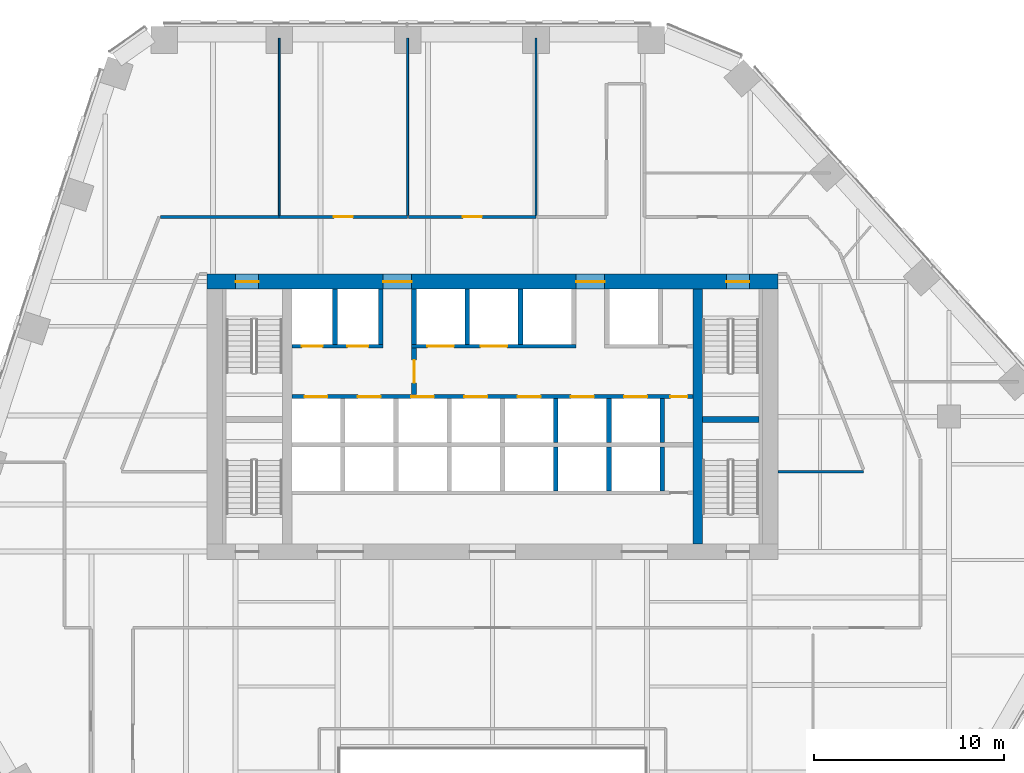
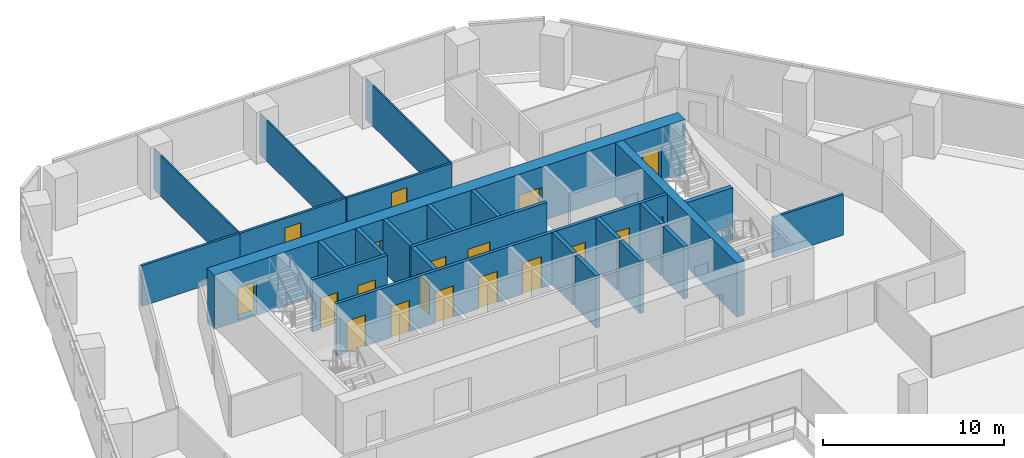
# One storey, part 12 of 17: 25 walls, 19 doors, 19 openings.
"""IFC4 building model written with IfcOpenShell, lengths in metres."""

from ifc_helpers import new_model, si_unit, direction, frame, frame_2d, origin, place, context, subcontext, project, spatial, rectangle, extrude, material, layer, layer_set, type_object, element, fill, save


model = new_model("IFC4")

# Units and contexts
model_context = context("Model", 3, precision=1e-05, world=origin(), true_north=direction((0.0, 1.0)))
body_context = subcontext(model_context, "Body", "Model", "MODEL_VIEW")
ifc_project = project(units=[si_unit("LENGTHUNIT", "METRE"), si_unit("AREAUNIT", "SQUARE_METRE"), si_unit("VOLUMEUNIT", "CUBIC_METRE"), si_unit("PLANEANGLEUNIT", "RADIAN"), si_unit("MASSUNIT", "GRAM", prefix="KILO")], contexts=[model_context])

# Site, building, storey
site_placement = place(None, origin())
site = spatial("IfcSite", under=ifc_project, at=site_placement, CompositionType="ELEMENT")
building_placement = place(site_placement, origin())
building = spatial("IfcBuilding", under=site, at=building_placement, Name="Isthmus Gate Tower", CompositionType="ELEMENT")
storey_placement = place(building_placement, frame((0.0, 0.0, 126.14990234375)))
storey = spatial("IfcBuildingStorey", under=building, at=storey_placement, Name="L30", CompositionType="ELEMENT", Elevation=126.14990234375)

# Wall, opening, door
ifc_material_1 = material(Name="Gypsum board on steel studs, fire-rated", Category="steel")
ifc_layer_1 = layer(ifc_material_1, 0.14990234375)
ifc_layer_set_1 = layer_set([ifc_layer_1], Name="CORRIDOR WALL 150 60 MIN")
wall_type_1 = type_object("IfcWallType", Name="CORRIDOR WALL 150 60 MIN", PredefinedType="PARTITIONING", material=ifc_layer_set_1)
wall_1_placement = place(storey_placement, frame((-11.2119140625, 18.0, 0.0), z_axis=(0.0, 0.0, 1.0), x_axis=(1.0, 0.0, 0.0)))
wall_1 = element("IfcWall", 1, at=wall_1_placement, inside=storey, type_object=wall_type_1, Name="L30 Corridor Wall 150 60 Min", PredefinedType="PARTITIONING", context=body_context, shape_type="SweptSolid", body=[
    extrude(rectangle(XDim=6.75, YDim=0.14990234375, at=frame_2d((3.375, 0.0))), origin(), (0.0, 0.0, 1.0), 2.7412109375),
])
opening_1_placement = place(wall_1_placement, frame((2.875, 0.0, 0.0)))
opening_1 = element("IfcOpeningElement", 2, at=opening_1_placement, cuts=wall_1, Name="Opening DT-T3A-01", PredefinedType="OPENING", context=body_context, shape_type="SweptSolid", body=[
    extrude(rectangle(XDim=1.0, YDim=2.10009765625, at=frame_2d((0.5, 1.050048828125))), frame((0.0, 0.0849609375, 0.0), z_axis=(0.0, -1.0, 0.0), x_axis=(1.0, 0.0, 0.0)), (0.0, 0.0, 1.0), 0.169921875),
])
ifc_material_2 = material(Name="Solid core timber door leaf, fire-rated", Category="wood")
door_type_1 = type_object("IfcDoorType", Name="FIRE DOOR ROOM 1000 X 2100 60 MIN", OperationType="SINGLE_SWING_LEFT", PredefinedType="DOOR", material=ifc_material_2)
door_1_placement = place(opening_1_placement, origin())
door_1 = element("IfcDoor", 3, at=door_1_placement, inside=storey, type_object=door_type_1, Name="L30 room door", OperationType="SINGLE_SWING_RIGHT", OverallHeight=2.10009765625, OverallWidth=1.0, PredefinedType="DOOR", context=body_context, shape_type="SweptSolid", body=[
    extrude(rectangle(XDim=1.0, YDim=2.10009765625, at=frame_2d((0.5, 1.050048828125))), frame((0.0, 0.02490234375, 0.0), z_axis=(0.0, -1.0, 0.0), x_axis=(1.0, 0.0, 0.0)), (0.0, 0.0, 1.0), 0.050048828125),
])
fill(opening_1, door_1)

wall_2_placement = place(storey_placement, frame((-4.412109375, 18.0, 0.0), z_axis=(0.0, 0.0, 1.0), x_axis=(1.0, 0.0, 0.0)))
wall_2 = element("IfcWall", 4, at=wall_2_placement, inside=storey, type_object=wall_type_1, Name="L30 Corridor Wall 150 60 Min", PredefinedType="PARTITIONING", context=body_context, shape_type="SweptSolid", body=[
    extrude(rectangle(XDim=6.7001953125, YDim=0.14990234375, at=frame_2d((3.35009765625, 0.0))), origin(), (0.0, 0.0, 1.0), 2.7412109375),
])
opening_2_placement = place(wall_2_placement, frame((2.85009765625, 0.0, 0.0)))
opening_2 = element("IfcOpeningElement", 5, at=opening_2_placement, cuts=wall_2, Name="Opening DT-T3A-02", PredefinedType="OPENING", context=body_context, shape_type="SweptSolid", body=[
    extrude(rectangle(XDim=1.0, YDim=2.10009765625, at=frame_2d((0.5, 1.050048828125))), frame((0.0, 0.0849609375, 0.0), z_axis=(0.0, -1.0, 0.0), x_axis=(1.0, 0.0, 0.0)), (0.0, 0.0, 1.0), 0.169921875),
])
door_2_placement = place(opening_2_placement, origin())
door_2 = element("IfcDoor", 6, at=door_2_placement, inside=storey, type_object=door_type_1, Name="L30 room door", OperationType="SINGLE_SWING_RIGHT", OverallHeight=2.10009765625, OverallWidth=1.0, PredefinedType="DOOR", context=body_context, shape_type="SweptSolid", body=[
    extrude(rectangle(XDim=1.0, YDim=2.10009765625, at=frame_2d((0.5, 1.050048828125))), frame((0.0, 0.02490234375, 0.0), z_axis=(0.0, -1.0, 0.0), x_axis=(1.0, 0.0, 0.0)), (0.0, 0.0, 1.0), 0.050048828125),
])
fill(opening_2, door_2)

# Walls
wall_3_placement = place(storey_placement, frame((-17.448974609375, 18.0, 0.0), z_axis=(0.0, 0.0, 1.0), x_axis=(1.0, 0.0, 0.0)))
element("IfcWall", 7, at=wall_3_placement, inside=storey, type_object=wall_type_1, Name="L30 Corridor Wall 150 60 Min", PredefinedType="PARTITIONING", context=body_context, shape_type="SweptSolid", body=[
    extrude(rectangle(XDim=6.237060546875, YDim=0.14990234375, at=frame_2d((3.11865234375, 0.0))), origin(), (0.0, 0.0, 1.0), 2.7412109375),
])
wall_4_placement = place(storey_placement, frame((15.0, 4.60009765625, 0.0), z_axis=(0.0, 0.0, 1.0), x_axis=(1.0, 0.0, 0.0)))
element("IfcWall", 8, at=wall_4_placement, inside=storey, type_object=wall_type_1, Name="L30 Corridor Wall 150 60 Min", PredefinedType="PARTITIONING", context=body_context, shape_type="SweptSolid", body=[
    extrude(rectangle(XDim=4.5, YDim=0.14990234375, at=frame_2d((2.25, 0.0))), origin(), (0.0, 0.0, 1.0), 2.7412109375),
])

# Wall, opening, door
ifc_material_3 = material(Name="Fire-rated blockwork masonry, 15 MPa", Category="masonry")
ifc_layer_2 = layer(ifc_material_3, 0.25)
ifc_layer_set_2 = layer_set([ifc_layer_2], Name="FIRE-FIGHTING LOBBY WALL 250 90 MIN")
wall_type_2 = type_object("IfcWallType", Name="FIRE-FIGHTING LOBBY WALL 250 90 MIN", PredefinedType="PARTITIONING", material=ifc_layer_set_2)
wall_5_placement = place(storey_placement, frame((-4.125, 8.64990234375, 0.0), z_axis=(0.0, 0.0, 1.0), x_axis=(0.0, 1.0, 0.0)))
wall_5 = element("IfcWall", 9, at=wall_5_placement, inside=storey, type_object=wall_type_2, Name="L30 FIRE-FIGHTING LOBBY WALL 250 90 MIN", PredefinedType="PARTITIONING", context=body_context, shape_type="SweptSolid", body=[
    extrude(rectangle(XDim=2.4501953125, YDim=0.25, at=frame_2d((1.22509765625, 0.0))), origin(), (0.0, 0.0, 1.0), 3.5),
])
opening_3_placement = place(wall_5_placement, frame((0.625, 0.0, 0.0)))
opening_3 = element("IfcOpeningElement", 10, at=opening_3_placement, cuts=wall_5, Name="Opening DC-A09-01", PredefinedType="OPENING", context=body_context, shape_type="SweptSolid", body=[
    extrude(rectangle(XDim=1.199951171875, YDim=2.10009765625, at=frame_2d((0.60009765625, 1.050048828125))), frame((0.0, 0.135009765625, 0.0), z_axis=(0.0, -1.0, 0.0), x_axis=(1.0, 0.0, 0.0)), (0.0, 0.0, 1.0), 0.27001953125),
])
ifc_material_4 = material(Name="Steel door leaf, fire-rated", Category="steel")
door_type_2 = type_object("IfcDoorType", Name="LOBBY FIRE DOOR 1200 X 2100 90 MIN", OperationType="DOUBLE_DOOR_SINGLE_SWING", PredefinedType="DOOR", material=ifc_material_4)
door_3_placement = place(opening_3_placement, origin())
door_3 = element("IfcDoor", 11, at=door_3_placement, inside=storey, type_object=door_type_2, Name="Fire-fighting Lobby Door", OperationType="SINGLE_SWING_LEFT", OverallHeight=2.10009765625, OverallWidth=1.199951171875, PredefinedType="DOOR", context=body_context, shape_type="SweptSolid", body=[
    extrude(rectangle(XDim=1.199951171875, YDim=2.10009765625, at=frame_2d((0.60009765625, 1.050048828125))), frame((0.0, 0.02490234375, 0.0), z_axis=(0.0, -1.0, 0.0), x_axis=(1.0, 0.0, 0.0)), (0.0, 0.0, 1.0), 0.050048828125),
])
fill(opening_3, door_3)

# Wall
ifc_material_5 = material(Name="Concrete f'c 60 MPa", Category="concrete")
ifc_layer_3 = layer(ifc_material_5, 0.5)
ifc_layer_set_3 = layer_set([ifc_layer_3], Name="RC CORE SPINE WALL 500 F'C 60")
wall_type_3 = type_object("IfcWallType", Name="RC CORE SPINE WALL 500 F'C 60", PredefinedType="SOLIDWALL", material=ifc_layer_set_3)
wall_6_placement = place(storey_placement, frame((10.800048828125, 0.800048828125, -0.14990234375), z_axis=(0.0, 0.0, 1.0), x_axis=(0.0, 1.0, 0.0)))
element("IfcWall", 12, at=wall_6_placement, inside=storey, type_object=wall_type_3, Name="str-corewall-L30-SPE", PredefinedType="SOLIDWALL", context=body_context, shape_type="SweptSolid", body=[
    extrude(rectangle(XDim=13.39990234375, YDim=0.5, at=frame_2d((6.699951171875, 0.0))), origin(), (0.0, 0.0, 1.0), 3.64990234375),
])

# Wall, openings, doors
ifc_material_6 = material(Name="Concrete f'c 60 MPa", Category="concrete")
ifc_layer_4 = layer(ifc_material_6, 0.800048828125)
ifc_layer_set_4 = layer_set([ifc_layer_4], Name="RC CORE WALL 800 F'C 60")
wall_type_4 = type_object("IfcWallType", Name="RC CORE WALL 800 F'C 60", PredefinedType="SOLIDWALL", material=ifc_layer_set_4)
wall_7_placement = place(storey_placement, frame((-15.0, 14.60009765625, -0.14990234375), z_axis=(0.0, 0.0, 1.0), x_axis=(1.0, 0.0, 0.0)))
wall_7 = element("IfcWall", 13, at=wall_7_placement, inside=storey, type_object=wall_type_4, Name="str-corewall-L30-N", PredefinedType="SOLIDWALL", context=body_context, shape_type="SweptSolid", body=[
    extrude(rectangle(XDim=30.0, YDim=0.800048828125, at=frame_2d((15.0, 0.0))), origin(), (0.0, 0.0, 1.0), 3.64990234375),
])
opening_4_placement = place(wall_7_placement, frame((9.25, 0.0, 0.14990234375)))
opening_4 = element("IfcOpeningElement", 14, at=opening_4_placement, cuts=wall_7, Name="Opening DC-A09-08", PredefinedType="OPENING", context=body_context, shape_type="SweptSolid", body=[
    extrude(rectangle(XDim=1.5, YDim=2.10009765625, at=frame_2d((0.75, 1.050048828125))), frame((0.0, 0.409912109375, 0.0), z_axis=(0.0, -1.0, 0.0), x_axis=(1.0, 0.0, 0.0)), (0.0, 0.0, 1.0), 0.820068359375),
])
opening_5_placement = place(wall_7_placement, frame((19.39990234375, 0.0, 0.14990234375)))
opening_5 = element("IfcOpeningElement", 15, at=opening_5_placement, cuts=wall_7, Name="Opening DC-A09-09", PredefinedType="OPENING", context=body_context, shape_type="SweptSolid", body=[
    extrude(rectangle(XDim=1.5, YDim=2.10009765625, at=frame_2d((0.75, 1.050048828125))), frame((0.0, 0.409912109375, 0.0), z_axis=(0.0, -1.0, 0.0), x_axis=(1.0, 0.0, 0.0)), (0.0, 0.0, 1.0), 0.820068359375),
])
opening_6_placement = place(wall_7_placement, frame((1.5, 0.0, 0.14990234375)))
opening_6 = element("IfcOpeningElement", 16, at=opening_6_placement, cuts=wall_7, Name="Opening DC-A09-10", PredefinedType="OPENING", context=body_context, shape_type="SweptSolid", body=[
    extrude(rectangle(XDim=1.199951171875, YDim=2.10009765625, at=frame_2d((0.60009765625, 1.050048828125))), frame((0.0, 0.409912109375, 0.0), z_axis=(0.0, -1.0, 0.0), x_axis=(1.0, 0.0, 0.0)), (0.0, 0.0, 1.0), 0.820068359375),
])
opening_7_placement = place(wall_7_placement, frame((27.300048828125, 0.0, 0.14990234375)))
opening_7 = element("IfcOpeningElement", 17, at=opening_7_placement, cuts=wall_7, Name="Opening DC-A09-11", PredefinedType="OPENING", context=body_context, shape_type="SweptSolid", body=[
    extrude(rectangle(XDim=1.199951171875, YDim=2.10009765625, at=frame_2d((0.60009765625, 1.050048828125))), frame((0.0, 0.409912109375, 0.0), z_axis=(0.0, -1.0, 0.0), x_axis=(1.0, 0.0, 0.0)), (0.0, 0.0, 1.0), 0.820068359375),
])
ifc_material_7 = material(Name="Steel door leaf, fire-rated", Category="steel")
door_type_3 = type_object("IfcDoorType", Name="LOBBY FIRE DOOR 1500 X 2100 60 MIN", OperationType="DOUBLE_DOOR_SINGLE_SWING", PredefinedType="DOOR", material=ifc_material_7)
door_4_placement = place(opening_5_placement, origin())
door_4 = element("IfcDoor", 18, at=door_4_placement, inside=storey, type_object=door_type_3, Name="Lobby Door PN-E", OperationType="DOUBLE_DOOR_SINGLE_SWING", OverallHeight=2.10009765625, OverallWidth=1.5, PredefinedType="DOOR", context=body_context, shape_type="SweptSolid", body=[
    extrude(rectangle(XDim=1.5, YDim=2.10009765625, at=frame_2d((0.75, 1.050048828125))), frame((0.0, 0.02490234375, 0.0), z_axis=(0.0, -1.0, 0.0), x_axis=(1.0, 0.0, 0.0)), (0.0, 0.0, 1.0), 0.050048828125),
])
fill(opening_5, door_4)
ifc_material_8 = material(Name="Steel door leaf, fire-rated", Category="steel")
door_type_4 = type_object("IfcDoorType", Name="LOBBY FIRE DOOR 1500 X 2100 90 MIN", OperationType="DOUBLE_DOOR_SINGLE_SWING", PredefinedType="DOOR", material=ifc_material_8)
door_5_placement = place(opening_4_placement, origin())
door_5 = element("IfcDoor", 19, at=door_5_placement, inside=storey, type_object=door_type_4, Name="Lobby Door PN-W", OperationType="DOUBLE_DOOR_SINGLE_SWING", OverallHeight=2.10009765625, OverallWidth=1.5, PredefinedType="DOOR", context=body_context, shape_type="SweptSolid", body=[
    extrude(rectangle(XDim=1.5, YDim=2.10009765625, at=frame_2d((0.75, 1.050048828125))), frame((0.0, 0.02490234375, 0.0), z_axis=(0.0, -1.0, 0.0), x_axis=(1.0, 0.0, 0.0)), (0.0, 0.0, 1.0), 0.050048828125),
])
fill(opening_4, door_5)
ifc_material_9 = material(Name="Steel door leaf, fire-rated", Category="steel")
door_type_5 = type_object("IfcDoorType", Name="STAIR FIRE DOOR 1200 X 2100 90 MIN", OperationType="SINGLE_SWING_LEFT", PredefinedType="DOOR", material=ifc_material_9)
door_6_placement = place(opening_6_placement, origin())
door_6 = element("IfcDoor", 20, at=door_6_placement, inside=storey, type_object=door_type_5, Name="Exit Stair 1 Door", OperationType="SINGLE_SWING_RIGHT", OverallHeight=2.10009765625, OverallWidth=1.199951171875, PredefinedType="DOOR", context=body_context, shape_type="SweptSolid", body=[
    extrude(rectangle(XDim=1.199951171875, YDim=2.10009765625, at=frame_2d((0.60009765625, 1.050048828125))), frame((0.0, 0.02490234375, 0.0), z_axis=(0.0, -1.0, 0.0), x_axis=(1.0, 0.0, 0.0)), (0.0, 0.0, 1.0), 0.050048828125),
])
fill(opening_6, door_6)
door_7_placement = place(opening_7_placement, origin())
door_7 = element("IfcDoor", 21, at=door_7_placement, inside=storey, type_object=door_type_5, Name="Exit Stair 2 Door", OperationType="SINGLE_SWING_LEFT", OverallHeight=2.10009765625, OverallWidth=1.199951171875, PredefinedType="DOOR", context=body_context, shape_type="SweptSolid", body=[
    extrude(rectangle(XDim=1.199951171875, YDim=2.10009765625, at=frame_2d((0.60009765625, 1.050048828125))), frame((0.0, 0.02490234375, 0.0), z_axis=(0.0, -1.0, 0.0), x_axis=(1.0, 0.0, 0.0)), (0.0, 0.0, 1.0), 0.050048828125),
])
fill(opening_7, door_7)

# Walls
ifc_material_10 = material(Name="Gypsum board on steel studs, fire-rated", Category="steel")
ifc_layer_5 = layer(ifc_material_10, 0.10009765625)
ifc_layer_set_5 = layer_set([ifc_layer_5], Name="ROOM PARTITION 100 30 MIN")
wall_type_5 = type_object("IfcWallType", Name="ROOM PARTITION 100 30 MIN", PredefinedType="PARTITIONING", material=ifc_layer_set_5)
for number, where, z_axis, x_axis, name in (
    (22, (-4.4619140625, 18.074951171875, 0.0), (0.0, 0.0, 1.0), (0.0, 1.0, 0.0), "L30 Room Partition 100 30 Min"),
    (23, (2.2880859375, 18.074951171875, 0.0), (0.0, 0.0, 1.0), (0.0, 1.0, 0.0), "L30 Room Partition 100 30 Min"),
    (24, (-11.2119140625, 18.074951171875, 0.0), (0.0, 0.0, 1.0), (0.0, 1.0, 0.0), "L30 Room Partition 100 30 Min"),
):
    element("IfcWall", number, at=place(storey_placement, frame(where, z_axis=z_axis, x_axis=x_axis)), inside=storey, type_object=wall_type_5, Name=name, PredefinedType="PARTITIONING", context=body_context, shape_type="SweptSolid", body=[
        extrude(rectangle(XDim=9.324951171875, YDim=0.10009765625, at=frame_2d((4.66259765625, 0.0))), origin(), (0.0, 0.0, 1.0), 2.7412109375),
    ])

# Wall, openings, doors
ifc_material_11 = material(Name="Fire-rated blockwork masonry, 15 MPa", Category="masonry")
ifc_layer_6 = layer(ifc_material_11, 0.199951171875)
ifc_layer_set_6 = layer_set([ifc_layer_6], Name="SHAFT FRONT WALL 200 120 MIN")
wall_type_6 = type_object("IfcWallType", Name="SHAFT FRONT WALL 200 120 MIN", PredefinedType="PARTITIONING", material=ifc_layer_set_6)
wall_8_placement = place(storey_placement, frame((-10.550048828125, 8.550048828125, 0.0), z_axis=(0.0, 0.0, 1.0), x_axis=(1.0, 0.0, 0.0)))
wall_8 = element("IfcWall", 25, at=wall_8_placement, inside=storey, type_object=wall_type_6, Name="L30 SHAFT FRONT WALL 200 120 MIN", PredefinedType="PARTITIONING", context=body_context, shape_type="SweptSolid", body=[
    extrude(rectangle(XDim=21.10009765625, YDim=0.199951171875, at=frame_2d((10.550048828125, 0.0))), origin(), (0.0, 0.0, 1.0), 3.5),
])
opening_8_placement = place(wall_8_placement, frame((0.675048828125, 0.0, 0.0)))
opening_8 = element("IfcOpeningElement", 26, at=opening_8_placement, cuts=wall_8, Name="Opening LD-LB1", PredefinedType="OPENING", context=body_context, shape_type="SweptSolid", body=[
    extrude(rectangle(XDim=1.199951171875, YDim=2.10009765625, at=frame_2d((0.60009765625, 1.050048828125))), frame((0.0, 0.10986328125, 0.0), z_axis=(0.0, -1.0, 0.0), x_axis=(1.0, 0.0, 0.0)), (0.0, 0.0, 1.0), 0.219970703125),
])
opening_9_placement = place(wall_8_placement, frame((3.47509765625, 0.0, 0.0)))
opening_9 = element("IfcOpeningElement", 27, at=opening_9_placement, cuts=wall_8, Name="Opening LD-LB2", PredefinedType="OPENING", context=body_context, shape_type="SweptSolid", body=[
    extrude(rectangle(XDim=1.199951171875, YDim=2.10009765625, at=frame_2d((0.60009765625, 1.050048828125))), frame((0.0, 0.10986328125, 0.0), z_axis=(0.0, -1.0, 0.0), x_axis=(1.0, 0.0, 0.0)), (0.0, 0.0, 1.0), 0.219970703125),
])
opening_10_placement = place(wall_8_placement, frame((6.27490234375, 0.0, 0.0)))
opening_10 = element("IfcOpeningElement", 28, at=opening_10_placement, cuts=wall_8, Name="Opening LD-LB3", PredefinedType="OPENING", context=body_context, shape_type="SweptSolid", body=[
    extrude(rectangle(XDim=1.199951171875, YDim=2.10009765625, at=frame_2d((0.60009765625, 1.050048828125))), frame((0.0, 0.10986328125, 0.0), z_axis=(0.0, -1.0, 0.0), x_axis=(1.0, 0.0, 0.0)), (0.0, 0.0, 1.0), 0.219970703125),
])
opening_11_placement = place(wall_8_placement, frame((9.074951171875, 0.0, 0.0)))
opening_11 = element("IfcOpeningElement", 29, at=opening_11_placement, cuts=wall_8, Name="Opening LD-LB4", PredefinedType="OPENING", context=body_context, shape_type="SweptSolid", body=[
    extrude(rectangle(XDim=1.199951171875, YDim=2.10009765625, at=frame_2d((0.60009765625, 1.050048828125))), frame((0.0, 0.10986328125, 0.0), z_axis=(0.0, -1.0, 0.0), x_axis=(1.0, 0.0, 0.0)), (0.0, 0.0, 1.0), 0.219970703125),
])
opening_12_placement = place(wall_8_placement, frame((11.875, 0.0, 0.0)))
opening_12 = element("IfcOpeningElement", 30, at=opening_12_placement, cuts=wall_8, Name="Opening LD-LB5", PredefinedType="OPENING", context=body_context, shape_type="SweptSolid", body=[
    extrude(rectangle(XDim=1.199951171875, YDim=2.10009765625, at=frame_2d((0.60009765625, 1.050048828125))), frame((0.0, 0.10986328125, 0.0), z_axis=(0.0, -1.0, 0.0), x_axis=(1.0, 0.0, 0.0)), (0.0, 0.0, 1.0), 0.219970703125),
])
opening_13_placement = place(wall_8_placement, frame((14.675048828125, 0.0, 0.0)))
opening_13 = element("IfcOpeningElement", 31, at=opening_13_placement, cuts=wall_8, Name="Opening LD-LB6", PredefinedType="OPENING", context=body_context, shape_type="SweptSolid", body=[
    extrude(rectangle(XDim=1.199951171875, YDim=2.10009765625, at=frame_2d((0.60009765625, 1.050048828125))), frame((0.0, 0.10986328125, 0.0), z_axis=(0.0, -1.0, 0.0), x_axis=(1.0, 0.0, 0.0)), (0.0, 0.0, 1.0), 0.219970703125),
])
opening_14_placement = place(wall_8_placement, frame((17.47509765625, 0.0, 0.0)))
opening_14 = element("IfcOpeningElement", 32, at=opening_14_placement, cuts=wall_8, Name="Opening LD-LB7", PredefinedType="OPENING", context=body_context, shape_type="SweptSolid", body=[
    extrude(rectangle(XDim=1.199951171875, YDim=2.10009765625, at=frame_2d((0.60009765625, 1.050048828125))), frame((0.0, 0.10986328125, 0.0), z_axis=(0.0, -1.0, 0.0), x_axis=(1.0, 0.0, 0.0)), (0.0, 0.0, 1.0), 0.219970703125),
])
opening_15_placement = place(wall_8_placement, frame((19.89990234375, 0.0, 0.0)))
opening_15 = element("IfcOpeningElement", 33, at=opening_15_placement, cuts=wall_8, Name="Opening DC-A09-03", PredefinedType="OPENING", context=body_context, shape_type="SweptSolid", body=[
    extrude(rectangle(XDim=0.89990234375, YDim=2.10009765625, at=frame_2d((0.449951171875, 1.050048828125))), frame((0.0, 0.10986328125, 0.0), z_axis=(0.0, -1.0, 0.0), x_axis=(1.0, 0.0, 0.0)), (0.0, 0.0, 1.0), 0.219970703125),
])
ifc_material_12 = material(Name="Stainless steel sliding leaf", Category="steel")
door_type_6 = type_object("IfcDoorType", Name="LIFT LANDING FIRE DOOR 1200 X 2100 90 MIN", OperationType="DOUBLE_DOOR_SLIDING", PredefinedType="DOOR", material=ifc_material_12)
door_8_placement = place(opening_8_placement, origin())
door_8 = element("IfcDoor", 34, at=door_8_placement, inside=storey, type_object=door_type_6, Name="Lift Landing Door LB1", OperationType="DOUBLE_DOOR_SLIDING", OverallHeight=2.10009765625, OverallWidth=1.199951171875, PredefinedType="DOOR", context=body_context, shape_type="SweptSolid", body=[
    extrude(rectangle(XDim=1.199951171875, YDim=2.10009765625, at=frame_2d((0.60009765625, 1.050048828125))), frame((0.0, 0.02490234375, 0.0), z_axis=(0.0, -1.0, 0.0), x_axis=(1.0, 0.0, 0.0)), (0.0, 0.0, 1.0), 0.050048828125),
])
fill(opening_8, door_8)
door_9_placement = place(opening_9_placement, origin())
door_9 = element("IfcDoor", 35, at=door_9_placement, inside=storey, type_object=door_type_6, Name="Lift Landing Door LB2", OperationType="DOUBLE_DOOR_SLIDING", OverallHeight=2.10009765625, OverallWidth=1.199951171875, PredefinedType="DOOR", context=body_context, shape_type="SweptSolid", body=[
    extrude(rectangle(XDim=1.199951171875, YDim=2.10009765625, at=frame_2d((0.60009765625, 1.050048828125))), frame((0.0, 0.02490234375, 0.0), z_axis=(0.0, -1.0, 0.0), x_axis=(1.0, 0.0, 0.0)), (0.0, 0.0, 1.0), 0.050048828125),
])
fill(opening_9, door_9)
door_10_placement = place(opening_10_placement, origin())
door_10 = element("IfcDoor", 36, at=door_10_placement, inside=storey, type_object=door_type_6, Name="Lift Landing Door LB3", OperationType="DOUBLE_DOOR_SLIDING", OverallHeight=2.10009765625, OverallWidth=1.199951171875, PredefinedType="DOOR", context=body_context, shape_type="SweptSolid", body=[
    extrude(rectangle(XDim=1.199951171875, YDim=2.10009765625, at=frame_2d((0.60009765625, 1.050048828125))), frame((0.0, 0.02490234375, 0.0), z_axis=(0.0, -1.0, 0.0), x_axis=(1.0, 0.0, 0.0)), (0.0, 0.0, 1.0), 0.050048828125),
])
fill(opening_10, door_10)
door_11_placement = place(opening_11_placement, origin())
door_11 = element("IfcDoor", 37, at=door_11_placement, inside=storey, type_object=door_type_6, Name="Lift Landing Door LB4", OperationType="DOUBLE_DOOR_SLIDING", OverallHeight=2.10009765625, OverallWidth=1.199951171875, PredefinedType="DOOR", context=body_context, shape_type="SweptSolid", body=[
    extrude(rectangle(XDim=1.199951171875, YDim=2.10009765625, at=frame_2d((0.60009765625, 1.050048828125))), frame((0.0, 0.02490234375, 0.0), z_axis=(0.0, -1.0, 0.0), x_axis=(1.0, 0.0, 0.0)), (0.0, 0.0, 1.0), 0.050048828125),
])
fill(opening_11, door_11)
door_12_placement = place(opening_12_placement, origin())
door_12 = element("IfcDoor", 38, at=door_12_placement, inside=storey, type_object=door_type_6, Name="Lift Landing Door LB5", OperationType="DOUBLE_DOOR_SLIDING", OverallHeight=2.10009765625, OverallWidth=1.199951171875, PredefinedType="DOOR", context=body_context, shape_type="SweptSolid", body=[
    extrude(rectangle(XDim=1.199951171875, YDim=2.10009765625, at=frame_2d((0.60009765625, 1.050048828125))), frame((0.0, 0.02490234375, 0.0), z_axis=(0.0, -1.0, 0.0), x_axis=(1.0, 0.0, 0.0)), (0.0, 0.0, 1.0), 0.050048828125),
])
fill(opening_12, door_12)
door_13_placement = place(opening_13_placement, origin())
door_13 = element("IfcDoor", 39, at=door_13_placement, inside=storey, type_object=door_type_6, Name="Lift Landing Door LB6", OperationType="DOUBLE_DOOR_SLIDING", OverallHeight=2.10009765625, OverallWidth=1.199951171875, PredefinedType="DOOR", context=body_context, shape_type="SweptSolid", body=[
    extrude(rectangle(XDim=1.199951171875, YDim=2.10009765625, at=frame_2d((0.60009765625, 1.050048828125))), frame((0.0, 0.02490234375, 0.0), z_axis=(0.0, -1.0, 0.0), x_axis=(1.0, 0.0, 0.0)), (0.0, 0.0, 1.0), 0.050048828125),
])
fill(opening_13, door_13)
door_14_placement = place(opening_14_placement, origin())
door_14 = element("IfcDoor", 40, at=door_14_placement, inside=storey, type_object=door_type_6, Name="Lift Landing Door LB7", OperationType="DOUBLE_DOOR_SLIDING", OverallHeight=2.10009765625, OverallWidth=1.199951171875, PredefinedType="DOOR", context=body_context, shape_type="SweptSolid", body=[
    extrude(rectangle(XDim=1.199951171875, YDim=2.10009765625, at=frame_2d((0.60009765625, 1.050048828125))), frame((0.0, 0.02490234375, 0.0), z_axis=(0.0, -1.0, 0.0), x_axis=(1.0, 0.0, 0.0)), (0.0, 0.0, 1.0), 0.050048828125),
])
fill(opening_14, door_14)
ifc_material_13 = material(Name="Steel door leaf, fire-rated", Category="steel")
door_type_7 = type_object("IfcDoorType", Name="RISER FIRE DOOR 900 X 2100 90 MIN", OperationType="SINGLE_SWING_LEFT", PredefinedType="DOOR", material=ifc_material_13)
door_15_placement = place(opening_15_placement, origin())
door_15 = element("IfcDoor", 41, at=door_15_placement, inside=storey, type_object=door_type_7, Name="Riser Door", OperationType="SINGLE_SWING_RIGHT", OverallHeight=2.10009765625, OverallWidth=0.89990234375, PredefinedType="DOOR", context=body_context, shape_type="SweptSolid", body=[
    extrude(rectangle(XDim=0.89990234375, YDim=2.10009765625, at=frame_2d((0.449951171875, 1.050048828125))), frame((0.0, 0.02490234375, 0.0), z_axis=(0.0, -1.0, 0.0), x_axis=(1.0, 0.0, 0.0)), (0.0, 0.0, 1.0), 0.050048828125),
])
fill(opening_15, door_15)

wall_9_placement = place(storey_placement, frame((-10.550048828125, 11.199951171875, 0.0), z_axis=(0.0, 0.0, 1.0), x_axis=(1.0, 0.0, 0.0)))
wall_9 = element("IfcWall", 42, at=wall_9_placement, inside=storey, type_object=wall_type_6, Name="L30 SHAFT FRONT WALL 200 120 MIN", PredefinedType="PARTITIONING", context=body_context, shape_type="SweptSolid", body=[
    extrude(rectangle(XDim=4.800048828125, YDim=0.199951171875, at=frame_2d((2.39990234375, 0.0))), origin(), (0.0, 0.0, 1.0), 3.5),
])
opening_16_placement = place(wall_9_placement, frame((0.52490234375, 0.0, 0.0)))
opening_16 = element("IfcOpeningElement", 43, at=opening_16_placement, cuts=wall_9, Name="Opening LD-LF1", PredefinedType="OPENING", context=body_context, shape_type="SweptSolid", body=[
    extrude(rectangle(XDim=1.10009765625, YDim=2.10009765625, at=frame_2d((0.550048828125, 1.050048828125))), frame((0.0, 0.10986328125, 0.0), z_axis=(0.0, -1.0, 0.0), x_axis=(1.0, 0.0, 0.0)), (0.0, 0.0, 1.0), 0.219970703125),
])
opening_17_placement = place(wall_9_placement, frame((2.925048828125, 0.0, 0.0)))
opening_17 = element("IfcOpeningElement", 44, at=opening_17_placement, cuts=wall_9, Name="Opening LD-LF2", PredefinedType="OPENING", context=body_context, shape_type="SweptSolid", body=[
    extrude(rectangle(XDim=1.10009765625, YDim=2.10009765625, at=frame_2d((0.550048828125, 1.050048828125))), frame((0.0, 0.10986328125, 0.0), z_axis=(0.0, -1.0, 0.0), x_axis=(1.0, 0.0, 0.0)), (0.0, 0.0, 1.0), 0.219970703125),
])
ifc_material_14 = material(Name="Stainless steel sliding leaf", Category="steel")
door_type_8 = type_object("IfcDoorType", Name="LIFT LANDING FIRE DOOR 1100 X 2100 90 MIN", OperationType="DOUBLE_DOOR_SLIDING", PredefinedType="DOOR", material=ifc_material_14)
door_16_placement = place(opening_16_placement, origin())
door_16 = element("IfcDoor", 45, at=door_16_placement, inside=storey, type_object=door_type_8, Name="Lift Landing Door LF1", OperationType="DOUBLE_DOOR_SLIDING", OverallHeight=2.10009765625, OverallWidth=1.10009765625, PredefinedType="DOOR", context=body_context, shape_type="SweptSolid", body=[
    extrude(rectangle(XDim=1.10009765625, YDim=2.10009765625, at=frame_2d((0.550048828125, 1.050048828125))), frame((0.0, 0.02490234375, 0.0), z_axis=(0.0, -1.0, 0.0), x_axis=(1.0, 0.0, 0.0)), (0.0, 0.0, 1.0), 0.050048828125),
])
fill(opening_16, door_16)
door_17_placement = place(opening_17_placement, origin())
door_17 = element("IfcDoor", 46, at=door_17_placement, inside=storey, type_object=door_type_8, Name="Lift Landing Door LF2", OperationType="DOUBLE_DOOR_SLIDING", OverallHeight=2.10009765625, OverallWidth=1.10009765625, PredefinedType="DOOR", context=body_context, shape_type="SweptSolid", body=[
    extrude(rectangle(XDim=1.10009765625, YDim=2.10009765625, at=frame_2d((0.550048828125, 1.050048828125))), frame((0.0, 0.02490234375, 0.0), z_axis=(0.0, -1.0, 0.0), x_axis=(1.0, 0.0, 0.0)), (0.0, 0.0, 1.0), 0.050048828125),
])
fill(opening_17, door_17)

wall_10_placement = place(storey_placement, frame((-4.25, 11.199951171875, 0.0), z_axis=(0.0, 0.0, 1.0), x_axis=(1.0, 0.0, 0.0)))
wall_10 = element("IfcWall", 47, at=wall_10_placement, inside=storey, type_object=wall_type_6, Name="L30 SHAFT FRONT WALL 200 120 MIN", PredefinedType="PARTITIONING", context=body_context, shape_type="SweptSolid", body=[
    extrude(rectangle(XDim=8.64990234375, YDim=0.199951171875, at=frame_2d((4.324951171875, 0.0))), origin(), (0.0, 0.0, 1.0), 3.5),
])
opening_18_placement = place(wall_10_placement, frame((0.824951171875, 0.0, 0.0)))
opening_18 = element("IfcOpeningElement", 48, at=opening_18_placement, cuts=wall_10, Name="Opening LD-LV1", PredefinedType="OPENING", context=body_context, shape_type="SweptSolid", body=[
    extrude(rectangle(XDim=1.39990234375, YDim=2.10009765625, at=frame_2d((0.699951171875, 1.050048828125))), frame((0.0, 0.10986328125, 0.0), z_axis=(0.0, -1.0, 0.0), x_axis=(1.0, 0.0, 0.0)), (0.0, 0.0, 1.0), 0.219970703125),
])
opening_19_placement = place(wall_10_placement, frame((3.625, 0.0, 0.0)))
opening_19 = element("IfcOpeningElement", 49, at=opening_19_placement, cuts=wall_10, Name="Opening LD-LV2", PredefinedType="OPENING", context=body_context, shape_type="SweptSolid", body=[
    extrude(rectangle(XDim=1.39990234375, YDim=2.10009765625, at=frame_2d((0.699951171875, 1.050048828125))), frame((0.0, 0.10986328125, 0.0), z_axis=(0.0, -1.0, 0.0), x_axis=(1.0, 0.0, 0.0)), (0.0, 0.0, 1.0), 0.219970703125),
])
ifc_material_15 = material(Name="Stainless steel sliding leaf", Category="steel")
door_type_9 = type_object("IfcDoorType", Name="LIFT LANDING FIRE DOOR 1400 X 2100 90 MIN", OperationType="DOUBLE_DOOR_SLIDING", PredefinedType="DOOR", material=ifc_material_15)
door_18_placement = place(opening_18_placement, origin())
door_18 = element("IfcDoor", 50, at=door_18_placement, inside=storey, type_object=door_type_9, Name="Lift Landing Door LV1", OperationType="DOUBLE_DOOR_SLIDING", OverallHeight=2.10009765625, OverallWidth=1.39990234375, PredefinedType="DOOR", context=body_context, shape_type="SweptSolid", body=[
    extrude(rectangle(XDim=1.39990234375, YDim=2.10009765625, at=frame_2d((0.699951171875, 1.050048828125))), frame((0.0, 0.02490234375, 0.0), z_axis=(0.0, -1.0, 0.0), x_axis=(1.0, 0.0, 0.0)), (0.0, 0.0, 1.0), 0.050048828125),
])
fill(opening_18, door_18)
door_19_placement = place(opening_19_placement, origin())
door_19 = element("IfcDoor", 51, at=door_19_placement, inside=storey, type_object=door_type_9, Name="Lift Landing Door LV2", OperationType="DOUBLE_DOOR_SLIDING", OverallHeight=2.10009765625, OverallWidth=1.39990234375, PredefinedType="DOOR", context=body_context, shape_type="SweptSolid", body=[
    extrude(rectangle(XDim=1.39990234375, YDim=2.10009765625, at=frame_2d((0.699951171875, 1.050048828125))), frame((0.0, 0.02490234375, 0.0), z_axis=(0.0, -1.0, 0.0), x_axis=(1.0, 0.0, 0.0)), (0.0, 0.0, 1.0), 0.050048828125),
])
fill(opening_19, door_19)

# Walls
ifc_material_16 = material(Name="Fire-rated blockwork masonry, 15 MPa", Category="masonry")
ifc_layer_7 = layer(ifc_material_16, 0.25)
ifc_layer_set_7 = layer_set([ifc_layer_7], Name="SHAFT WALL 250 120 MIN")
wall_type_7 = type_object("IfcWallType", Name="SHAFT WALL 250 120 MIN", PredefinedType="PARTITIONING", material=ifc_layer_set_7)
for number, where, z_axis, x_axis, name in (
    (52, (3.324951171875, 3.60009765625, 0.0), (0.0, 0.0, 1.0), (0.0, 1.0, 0.0), "L30 SHAFT WALL 250 120 MIN"),
    (53, (6.125, 3.60009765625, 0.0), (0.0, 0.0, 1.0), (0.0, 1.0, 0.0), "L30 SHAFT WALL 250 120 MIN"),
    (54, (8.925048828125, 3.60009765625, 0.0), (0.0, 0.0, 1.0), (0.0, 1.0, 0.0), "L30 SHAFT WALL 250 120 MIN"),
):
    element("IfcWall", number, at=place(storey_placement, frame(where, z_axis=z_axis, x_axis=x_axis)), inside=storey, type_object=wall_type_7, Name=name, PredefinedType="PARTITIONING", context=body_context, shape_type="SweptSolid", body=[
        extrude(rectangle(XDim=2.2998046875, YDim=0.25, at=frame_2d((1.14990234375, 0.0))), origin(), (0.0, 0.0, 1.0), 3.5),
    ])
for number, where, z_axis, x_axis, name in (
    (55, (3.324951171875, 6.14990234375, 0.0), (0.0, 0.0, 1.0), (0.0, 1.0, 0.0), "L30 SHAFT WALL 250 120 MIN"),
    (56, (6.125, 6.14990234375, 0.0), (0.0, 0.0, 1.0), (0.0, 1.0, 0.0), "L30 SHAFT WALL 250 120 MIN"),
    (57, (8.925048828125, 6.14990234375, 0.0), (0.0, 0.0, 1.0), (0.0, 1.0, 0.0), "L30 SHAFT WALL 250 120 MIN"),
):
    element("IfcWall", number, at=place(storey_placement, frame(where, z_axis=z_axis, x_axis=x_axis)), inside=storey, type_object=wall_type_7, Name=name, PredefinedType="PARTITIONING", context=body_context, shape_type="SweptSolid", body=[
        extrude(rectangle(XDim=2.300048828125, YDim=0.25, at=frame_2d((1.14990234375, 0.0))), origin(), (0.0, 0.0, 1.0), 3.5),
    ])
for number, where, z_axis, x_axis, name in (
    (58, (-8.27490234375, 11.300048828125, 0.0), (0.0, 0.0, 1.0), (0.0, 1.0, 0.0), "L30 SHAFT WALL 250 120 MIN"),
    (59, (-5.875, 11.300048828125, 0.0), (0.0, 0.0, 1.0), (0.0, 1.0, 0.0), "L30 SHAFT WALL 250 120 MIN"),
    (60, (-4.125, 11.300048828125, 0.0), (0.0, 0.0, 1.0), (0.0, 1.0, 0.0), "L30 SHAFT WALL 250 120 MIN"),
    (61, (-1.324951171875, 11.300048828125, 0.0), (0.0, 0.0, 1.0), (0.0, 1.0, 0.0), "L30 SHAFT WALL 250 120 MIN"),
    (62, (1.47509765625, 11.300048828125, 0.0), (0.0, 0.0, 1.0), (0.0, 1.0, 0.0), "L30 SHAFT WALL 250 120 MIN"),
):
    element("IfcWall", number, at=place(storey_placement, frame(where, z_axis=z_axis, x_axis=x_axis)), inside=storey, type_object=wall_type_7, Name=name, PredefinedType="PARTITIONING", context=body_context, shape_type="SweptSolid", body=[
        extrude(rectangle(XDim=2.89990234375, YDim=0.25, at=frame_2d((1.449951171875, 0.0))), origin(), (0.0, 0.0, 1.0), 3.5),
    ])
ifc_material_17 = material(Name="Concrete f'c 40 MPa", Category="concrete")
ifc_layer_8 = layer(ifc_material_17, 0.300048828125)
ifc_layer_set_8 = layer_set([ifc_layer_8], Name="STAIR ENCLOSURE WALL 300 180 MIN")
wall_type_8 = type_object("IfcWallType", Name="STAIR ENCLOSURE WALL 300 180 MIN", PredefinedType="SOLIDWALL", material=ifc_layer_set_8)
wall_11_placement = place(storey_placement, frame((11.050048828125, 7.35009765625, 0.0), z_axis=(0.0, 0.0, 1.0), x_axis=(1.0, 0.0, 0.0)))
element("IfcWall", 63, at=wall_11_placement, inside=storey, type_object=wall_type_8, Name="L30 STAIR ENCLOSURE WALL 300 180 MIN", PredefinedType="SOLIDWALL", context=body_context, shape_type="SweptSolid", body=[
    extrude(rectangle(XDim=2.949951171875, YDim=0.300048828125, at=frame_2d((1.47509765625, 0.0))), origin(), (0.0, 0.0, 1.0), 3.5),
])

save(model, "model.ifc")
